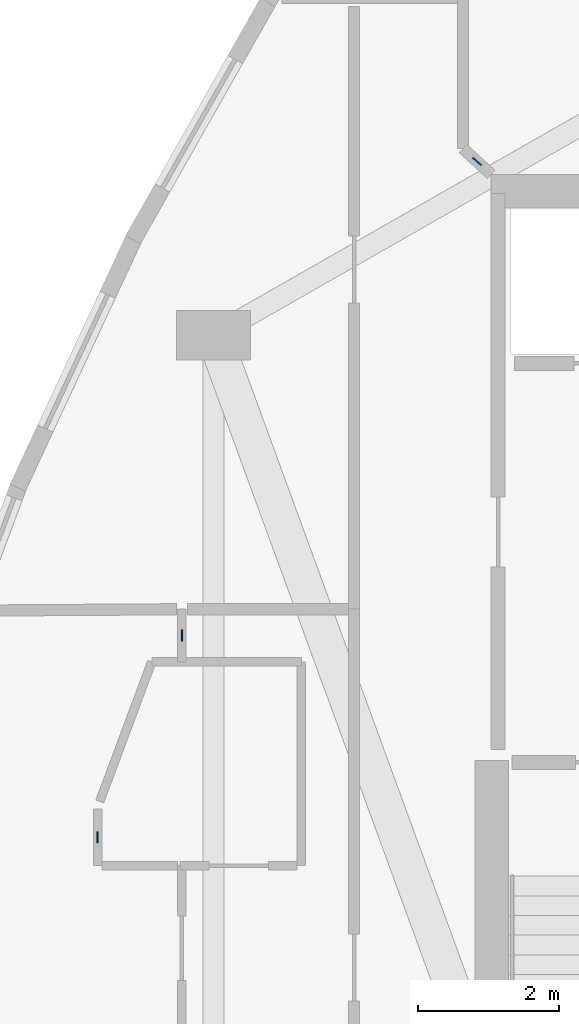
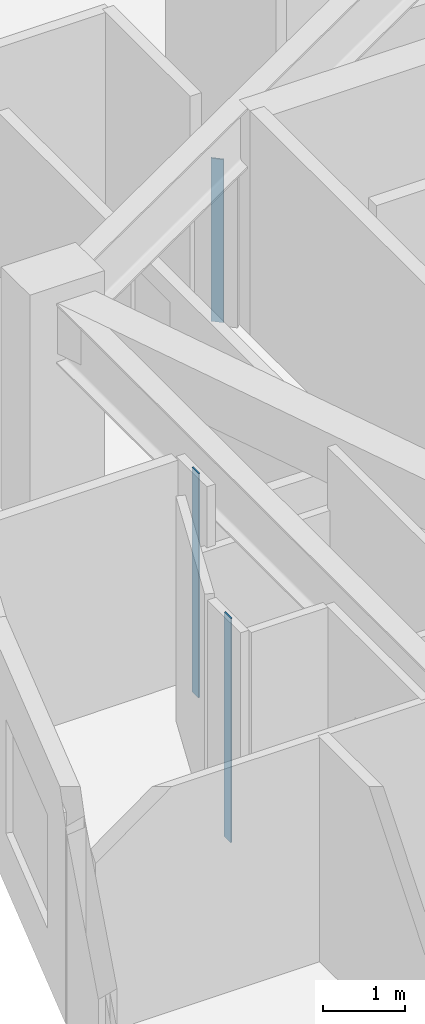
# One storey, part 4 of 13: 3 plates.
"""IFC4 building model written with IfcOpenShell, lengths in metres."""

import ifcopenshell
import ifcopenshell.guid

model = None  # the IFC model being written
_history = None  # IfcOwnerHistory: only IFC2X3 demands one
_inside = {}  # id of a spatial element -> (the spatial element, [elements in it])
_under = {}  # id of a project, library or spatial element -> (it, [spatial elements below it])
_declared = {}  # id of a project -> (the project, [libraries it declares])
_typed = {}  # id of a type object -> (the type object, [elements of that type])
_made_of = {}  # id of a material, layer set ... -> (it, [elements and type objects made of it])


def new_model(schema):
    """Start an empty IFC model of exactly this schema.

    Asked for "IFC4X3", IfcOpenShell would pick the latest addendum, in which some entities
    have other attributes; the version numbers below select the first issue.
    IFC2X3 requires an IfcOwnerHistory on every rooted entity: one is made here for all.
    """
    global model, _history
    if schema == "IFC4X3":
        model = ifcopenshell.file(schema_version=(4, 3, 0, 0))
    else:
        model = ifcopenshell.file(schema=schema)
    _inside.clear()
    _under.clear()
    _declared.clear()
    _typed.clear()
    _made_of.clear()
    _history = None
    if model.schema == "IFC2X3":
        org = make("IfcOrganization", Name="unknown")
        user = make(
            "IfcPersonAndOrganization",
            ThePerson=make("IfcPerson", FamilyName="unknown"),
            TheOrganization=org,
        )
        app = make(
            "IfcApplication",
            ApplicationDeveloper=org,
            Version="unknown",
            ApplicationFullName="unknown",
            ApplicationIdentifier="unknown",
        )
        _history = make(
            "IfcOwnerHistory",
            OwningUser=user,
            OwningApplication=app,
            ChangeAction="ADDED",
            CreationDate=0,
        )
    return model


def make(cls, **values):
    """One entity of the class cls with the attributes given. An attribute that is None is left unset."""
    return model.create_entity(
        cls, **{name: value for name, value in values.items() if value is not None}
    )


def rooted(cls, **values):
    """An entity with a GlobalId (a new one), such as an element, a storey or a relation."""
    return make(cls, GlobalId=ifcopenshell.guid.new(), OwnerHistory=_history, **values)


def si_unit(unit_type, name, prefix=None):
    """IfcSIUnit, for example si_unit("LENGTHUNIT", "METRE", prefix="MILLI")."""
    return make("IfcSIUnit", UnitType=unit_type, Prefix=prefix, Name=name)


def assignment(units):
    """IfcUnitAssignment: the units of a project."""
    return None if units is None else make("IfcUnitAssignment", Units=units)


def point(xyz):
    """IfcCartesianPoint."""
    return None if xyz is None else make("IfcCartesianPoint", Coordinates=xyz)


def direction(xyz):
    """IfcDirection."""
    return None if xyz is None else make("IfcDirection", DirectionRatios=xyz)


def frame(location, z_axis=None, x_axis=None):
    """IfcAxis2Placement3D, a coordinate frame: its origin and axes. An axis left out is left unset."""
    return make(
        "IfcAxis2Placement3D",
        Location=point(location),
        Axis=direction(z_axis),
        RefDirection=direction(x_axis),
    )


def frame_2d(location, x_axis=None):
    """IfcAxis2Placement2D, a coordinate frame in the plane: its origin and x axis."""
    return make(
        "IfcAxis2Placement2D", Location=point(location), RefDirection=direction(x_axis)
    )


def origin():
    """The frame at (0, 0, 0) with its axes left unset."""
    return frame((0.0, 0.0, 0.0))


def origin_2d():
    """The frame at (0, 0) in the plane with its x axis left unset."""
    return frame_2d((0.0, 0.0))


def place(relative_to, where):
    """IfcLocalPlacement: puts the frame where relative to a parent placement (None: the world)."""
    return make(
        "IfcLocalPlacement", PlacementRelTo=relative_to, RelativePlacement=where
    )


def context(
    kind, dimensions, precision=None, world=None, true_north=None, identifier=None
):
    """IfcGeometricRepresentationContext, for example the 3D "Model" context."""
    return make(
        "IfcGeometricRepresentationContext",
        ContextIdentifier=identifier,
        ContextType=kind,
        CoordinateSpaceDimension=dimensions,
        Precision=precision,
        WorldCoordinateSystem=world,
        TrueNorth=true_north,
    )


def subcontext(parent, identifier, kind, view, scale=None):
    """IfcGeometricRepresentationSubContext, for example "Body" below "Model"."""
    return make(
        "IfcGeometricRepresentationSubContext",
        ContextIdentifier=identifier,
        ContextType=kind,
        ParentContext=parent,
        TargetScale=scale,
        TargetView=view,
    )


def project(units=None, contexts=None):
    """IfcProject with its units and contexts."""
    return rooted(
        "IfcProject",
        Name="project",
        RepresentationContexts=contexts,
        UnitsInContext=assignment(units),
    )


def spatial(cls, under=None, at=None, **own):
    """A site, building, storey or space (cls), placed at a placement, below another one or the project."""
    s = rooted(cls, ObjectPlacement=at, **own)
    if under is not None:
        _under.setdefault(under.id(), (under, []))[1].append(s)
    return s


def profile(cls, at=None, kind="AREA", **sizes):
    """A parametric profile (cls). Its sizes go by their IFC names, for example OverallWidth=200.0."""
    return make(cls, ProfileType=kind, Position=at, **sizes)


def rectangle(**sizes):
    """IfcRectangleProfileDef."""
    return profile("IfcRectangleProfileDef", **sizes)


def extrude(swept, where, along, depth):
    """IfcExtrudedAreaSolid: the profile swept, set in the frame where, extruded along a direction by depth."""
    return make(
        "IfcExtrudedAreaSolid",
        SweptArea=swept,
        Position=where,
        ExtrudedDirection=direction(along),
        Depth=depth,
    )


def shape(context_of_items, identifier, shape_type, items):
    """IfcShapeRepresentation: the items that make up one representation, for example the "Body"."""
    return make(
        "IfcShapeRepresentation",
        ContextOfItems=context_of_items,
        RepresentationIdentifier=identifier,
        RepresentationType=shape_type,
        Items=items,
    )


def material(Name=None, Category=None):
    """IfcMaterial."""
    return make("IfcMaterial", Name=Name, Category=Category)


def layer(
    of_material, thickness, ventilated=None, Name=None, Category=None, Priority=None
):
    """IfcMaterialLayer: one layer of a wall or slab, of a material (None: an air gap)."""
    return make(
        "IfcMaterialLayer",
        Material=of_material,
        LayerThickness=thickness,
        IsVentilated=ventilated,
        Name=Name,
        Category=Category,
        Priority=Priority,
    )


def layer_set(layers, Name=None):
    """IfcMaterialLayerSet."""
    return make("IfcMaterialLayerSet", MaterialLayers=layers, LayerSetName=Name)


def made_of(thing, what):
    """Note that an element or type object is made of a material, layer set ...; save() writes the relation."""
    if what is not None:
        _made_of.setdefault(what.id(), (what, []))[1].append(thing)
    return thing


def type_object(cls, material=None, **own):
    """A type object (cls), such as IfcWallType, which elements share."""
    return made_of(rooted(cls, **own), material)


def element(
    cls,
    number,
    at=None,
    inside=None,
    cuts=None,
    type_object=None,
    material=None,
    context=None,
    identifier="Body",
    shape_type=None,
    held_by="IfcProductDefinitionShape",
    body=None,
    shapes=None,
    **own,
):
    """One element of the class cls, such as IfcWall. Its Tag is "e" and its number.

    at: its placement. inside: the storey or other place that contains it. cuts: it is an
    opening in that element (IfcRelVoidsElement). A single representation is given by context,
    identifier, shape_type and body (its items); several are given by shapes. held_by: the class
    of the entity that holds the representations. save() writes the other relations.
    """
    e = rooted(cls, Tag="e%d" % number, ObjectPlacement=at, **own)
    if body is not None:
        shapes = [shape(context, identifier, shape_type, body)]
    if shapes is not None:
        e.Representation = make(held_by, Representations=shapes)
    if inside is not None:
        _inside.setdefault(inside.id(), (inside, []))[1].append(e)
    if cuts is not None:
        rooted(
            "IfcRelVoidsElement", RelatingBuildingElement=cuts, RelatedOpeningElement=e
        )
    if type_object is not None:
        _typed.setdefault(type_object.id(), (type_object, []))[1].append(e)
    return made_of(e, material)


def aggregate(whole, parts):
    """IfcRelAggregates: a whole, such as a stair, and the parts it consists of."""
    return rooted("IfcRelAggregates", RelatingObject=whole, RelatedObjects=parts)


def save(model, path):
    """Write the relations noted so far, then the file.

    IfcRelAggregates (storeys below a building ...), IfcRelContainedInSpatialStructure (elements
    in a storey), IfcRelDefinesByType, IfcRelAssociatesMaterial and IfcRelDeclares: one each for
    every whole, place, type object, material and project.
    """
    for whole, parts in _under.values():
        aggregate(whole, parts)
    for where, things in _inside.values():
        rooted(
            "IfcRelContainedInSpatialStructure",
            RelatedElements=things,
            RelatingStructure=where,
        )
    for kind, things in _typed.values():
        rooted("IfcRelDefinesByType", RelatedObjects=things, RelatingType=kind)
    for what, things in _made_of.values():
        rooted("IfcRelAssociatesMaterial", RelatedObjects=things, RelatingMaterial=what)
    for by, libraries in _declared.values():
        rooted("IfcRelDeclares", RelatingContext=by, RelatedDefinitions=libraries)
    model.write(path)


model = new_model("IFC4")

# Units and contexts
model_context = context("Model", 3, precision=1e-05, world=origin(), true_north=direction((0.0, 1.0)))
body_context = subcontext(model_context, "Body", "Model", "MODEL_VIEW")
ifc_project = project(units=[si_unit("LENGTHUNIT", "METRE"), si_unit("AREAUNIT", "SQUARE_METRE"), si_unit("VOLUMEUNIT", "CUBIC_METRE"), si_unit("PLANEANGLEUNIT", "RADIAN"), si_unit("MASSUNIT", "GRAM", prefix="KILO")], contexts=[model_context])

# Site, building, storey
site_placement = place(None, origin())
site = spatial("IfcSite", under=ifc_project, at=site_placement, CompositionType="ELEMENT")
building_placement = place(site_placement, origin())
building = spatial("IfcBuilding", under=site, at=building_placement, Name="Miruveldt Soraemaru", CompositionType="ELEMENT")
storey_placement = place(building_placement, frame((0.0, 0.0, 201.60009765625)))
storey = spatial("IfcBuildingStorey", under=building, at=storey_placement, Name="L55", CompositionType="ELEMENT", Elevation=201.60009765625)

# Plates
ifc_material = material(Name="Anodised aluminium EN AW-6063 T6", Category="aluminium")
ifc_layer = layer(ifc_material, 0.02001953125, Name="Anodised aluminium EN AW-6063 T6", Category="aluminium")
ifc_layer_set = layer_set([ifc_layer], Name="Anodised aluminium EN AW-6063 T6")
plate_type = type_object("IfcPlateType", Name="PLT-PART-TRIM", PredefinedType="SHEET", material=ifc_layer_set)
for number, where, z_axis, x_axis, name in (
    (1, (29.75, 43.25439453125, 0.0), (0.0, 0.0, 1.0), (0.0, -1.0, 0.0), "L55 Partition Step Corner Trim Plate 041"),
    (2, (30.949951171875, 46.125, 0.0), (0.0, 0.0, 1.0), (0.0, -1.0, 0.0), "L55 Partition Step Corner Trim Plate 038"),
):
    element("IfcPlate", number, at=place(storey_placement, frame(where, z_axis=z_axis, x_axis=x_axis)), inside=storey, type_object=plate_type, Name=name, PredefinedType="SHEET", context=body_context, shape_type="SweptSolid", body=[
        extrude(rectangle(XDim=0.159912109375, YDim=0.02001953125, at=origin_2d()), origin(), (0.0, 0.0, 1.0), 3.344970703125),
    ])
plate_placement = place(storey_placement, frame((35.14990234375, 52.87255859375, -0.000244140625), z_axis=(0.0, 0.0, 1.0), x_axis=(0.738690671568, -0.674044576967, 0.0)))
element("IfcPlate", 3, at=plate_placement, inside=storey, type_object=plate_type, Name="L55 Partition Step Corner Trim Plate 001", PredefinedType="SHEET", context=body_context, shape_type="SweptSolid", body=[
    extrude(rectangle(XDim=0.159912109375, YDim=0.02001953125, at=origin_2d()), origin(), (0.0, 0.0, 1.0), 2.43310546875),
])

save(model, "model.ifc")
